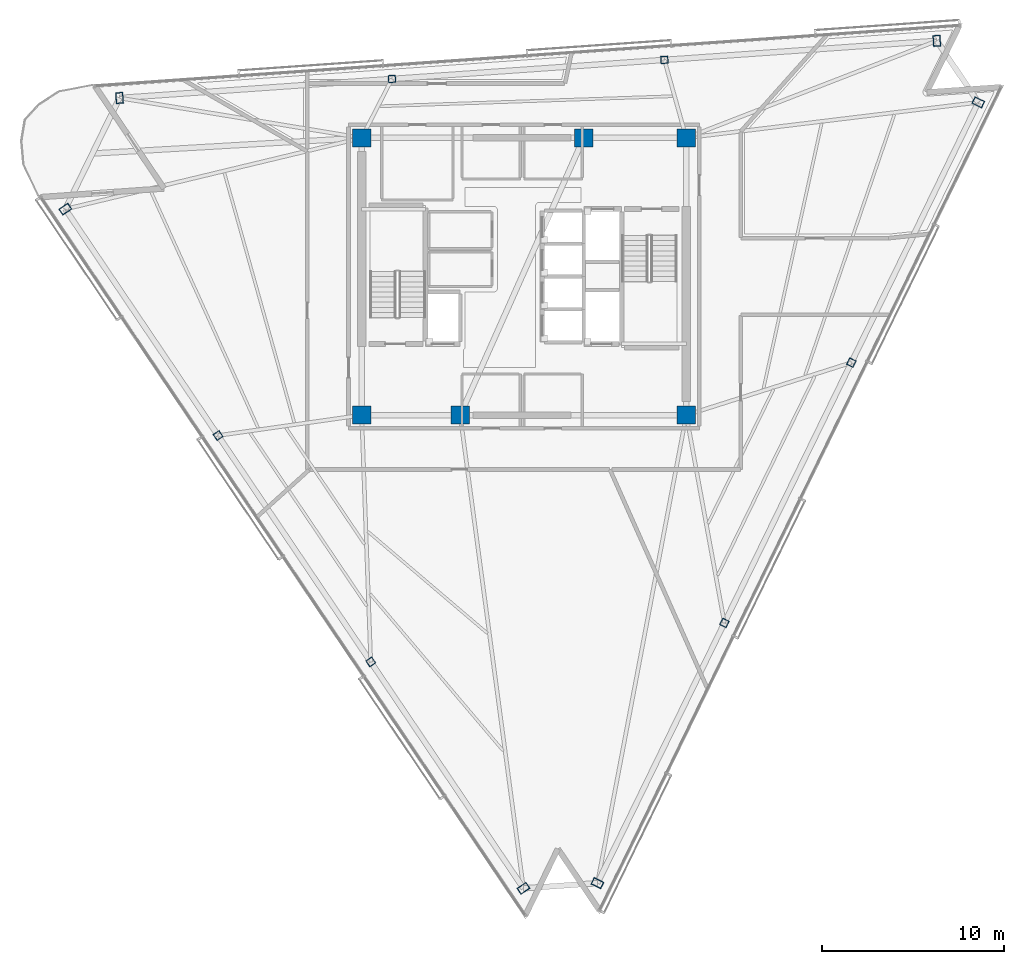
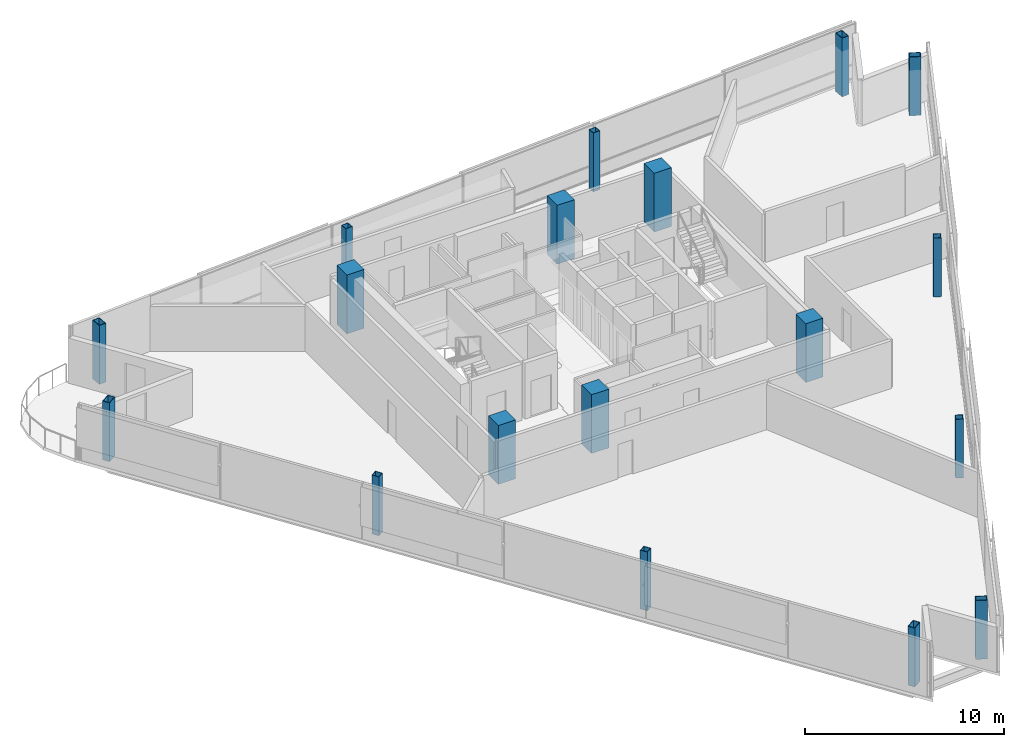
# One storey, part 1 of 16: 18 columns.
"""IFC4 building model written with IfcOpenShell, lengths in metres."""

from ifc_helpers import new_model, si_unit, direction, frame, origin, origin_2d, place, context, subcontext, project, spatial, rectangle, hollow_rectangle, extrude, material, material_profile, profile_set, type_object, element, save


model = new_model("IFC4")

# Units and contexts
model_context = context("Model", 3, precision=1e-05, world=origin(), true_north=direction((0.0, 1.0)))
body_context = subcontext(model_context, "Body", "Model", "MODEL_VIEW")
ifc_project = project(units=[si_unit("LENGTHUNIT", "METRE"), si_unit("AREAUNIT", "SQUARE_METRE"), si_unit("VOLUMEUNIT", "CUBIC_METRE"), si_unit("PLANEANGLEUNIT", "RADIAN"), si_unit("MASSUNIT", "GRAM", prefix="KILO")], contexts=[model_context])

# Site, building, storey
site_placement = place(None, origin())
site = spatial("IfcSite", under=ifc_project, at=site_placement, CompositionType="ELEMENT")
building_placement = place(site_placement, origin())
building = spatial("IfcBuilding", under=site, at=building_placement, Name="Tharavind Bronze Gate", CompositionType="ELEMENT")
storey_placement = place(building_placement, frame((0.0, 0.0, 271.39990234375)))
storey = spatial("IfcBuildingStorey", under=building, at=storey_placement, Name="L70", CompositionType="ELEMENT", Elevation=271.39990234375)

# Columns
ifc_material_1 = material(Name="Steel S460", Category="steel")
ifc_material_profile_1 = material_profile(ifc_material_1, hollow_rectangle(XDim=0.39990234375, YDim=0.60009765625, WallThickness=0.030029296875, at=origin_2d()), Name="RHS600X400X30")
ifc_profile_set_1 = profile_set([ifc_material_profile_1], Name="Steel S460")
column_type_1 = type_object("IfcColumnType", Name="CORNER NOTCH COLUMN RHS600X400", PredefinedType="COLUMN", material=ifc_profile_set_1)
for number, where, z_axis, x_axis, name in (
    (1, (-25.14990234375, 3.694580078125, 0.0), (0.0, 0.0, 1.0), (-0.559192903471, 0.829037572555, 0.0), "L70 perimeter column S1C1"),
    (2, (-0.02880859375, -33.549072265625, 0.0), (0.0, 0.0, 1.0), (-0.559192903471, 0.829037572555, 0.0), "L70 perimeter column S1C4"),
    (3, (4.029296875, -33.26513671875, 0.0), (0.0, 0.0, 1.0), (0.43837271548, 0.898793281196, 0.0), "L70 perimeter column S2C1"),
    (4, (24.91162109375, 9.5498046875, 0.0), (0.0, 0.0, 1.0), (0.43837271548, 0.898793281196, 0.0), "L70 perimeter column S2C4"),
    (5, (22.636962890625, 12.92236328125, 0.0), (0.0, 0.0, 1.0), (0.99756392851, 0.069758214822, 0.0), "L70 perimeter column S3C1"),
    (6, (-22.177490234375, 9.78857421875, 0.0), (0.0, 0.0, 1.0), (0.99756392851, 0.069758214822, 0.0), "L70 perimeter column S3C4"),
):
    element("IfcColumn", number, at=place(storey_placement, frame(where, z_axis=z_axis, x_axis=x_axis)), inside=storey, type_object=column_type_1, Name=name, PredefinedType="COLUMN", context=body_context, shape_type="SweptSolid", body=[
        extrude(hollow_rectangle(XDim=0.39990234375, YDim=0.60009765625, WallThickness=0.030029296875, at=origin_2d()), origin(), (0.0, 0.0, 1.0), 3.60009765625),
    ])
ifc_material_2 = material(Name="Concrete C50/60", Category="concrete")
ifc_material_profile_2 = material_profile(ifc_material_2, rectangle(XDim=1.0, YDim=1.0, at=origin_2d()), Name="RCCOL1000")
ifc_profile_set_2 = profile_set([ifc_material_profile_2], Name="Concrete C50/60")
column_type_2 = type_object("IfcColumnType", Name="MEGA CORE COLUMN 1000", PredefinedType="COLUMN", material=ifc_profile_set_2)
for number, where, z_axis, x_axis, name in (
    (7, (-8.89990234375, -7.60009765625, 0.0), (0.0, 0.0, 1.0), (1.0, 0.0, 0.0), "L70 core mega column MC1"),
    (8, (-3.5, -7.60009765625, 0.0), (0.0, 0.0, 1.0), (1.0, 0.0, 0.0), "L70 core mega column MC2"),
    (9, (8.89990234375, -7.60009765625, 0.0), (0.0, 0.0, 1.0), (1.0, 0.0, 0.0), "L70 core mega column MC3"),
    (10, (8.89990234375, 7.60009765625, 0.0), (0.0, 0.0, 1.0), (1.0, 0.0, 0.0), "L70 core mega column MC4"),
    (11, (3.280029296875, 7.60009765625, 0.0), (0.0, 0.0, 1.0), (1.0, 0.0, 0.0), "L70 core mega column MC5"),
    (12, (-8.89990234375, 7.60009765625, 0.0), (0.0, 0.0, 1.0), (1.0, 0.0, 0.0), "L70 core mega column MC6"),
):
    element("IfcColumn", number, at=place(storey_placement, frame(where, z_axis=z_axis, x_axis=x_axis)), inside=storey, type_object=column_type_2, Name=name, PredefinedType="COLUMN", context=body_context, shape_type="SweptSolid", body=[
        extrude(rectangle(XDim=1.0, YDim=1.0, at=origin_2d()), origin(), (0.0, 0.0, 1.0), 3.60009765625),
    ])
ifc_material_profile_3 = material_profile(ifc_material_1, hollow_rectangle(XDim=0.39990234375, YDim=0.39990234375, WallThickness=0.02490234375, at=origin_2d()), Name="SHS400X25")
ifc_profile_set_3 = profile_set([ifc_material_profile_3], Name="Steel S460")
column_type_3 = type_object("IfcColumnType", Name="PERIMETER BOX COLUMN SHS400", PredefinedType="COLUMN", material=ifc_profile_set_3)
for number, where, z_axis, x_axis, name in (
    (13, (-16.776123046875, -8.719970703125, 0.0), (0.0, 0.0, 1.0), (-0.559192903471, 0.829037572555, 0.0), "L70 perimeter column S1C2"),
    (14, (-8.40234375, -21.134521484375, 0.0), (0.0, 0.0, 1.0), (-0.559192903471, 0.829037572555, 0.0), "L70 perimeter column S1C3"),
    (15, (10.990234375, -18.99365234375, 0.0), (0.0, 0.0, 1.0), (0.43837271548, 0.898793281196, 0.0), "L70 perimeter column S2C2"),
    (16, (17.950927734375, -4.721923828125, 0.0), (0.0, 0.0, 1.0), (0.43837271548, 0.898793281196, 0.0), "L70 perimeter column S2C3"),
    (17, (7.69873046875, 11.877685546875, 0.0), (0.0, 0.0, 1.0), (0.99756392851, 0.069758214822, 0.0), "L70 perimeter column S3C2"),
    (18, (-7.239501953125, 10.8330078125, 0.0), (0.0, 0.0, 1.0), (0.99756392851, 0.069758214822, 0.0), "L70 perimeter column S3C3"),
):
    element("IfcColumn", number, at=place(storey_placement, frame(where, z_axis=z_axis, x_axis=x_axis)), inside=storey, type_object=column_type_3, Name=name, PredefinedType="COLUMN", context=body_context, shape_type="SweptSolid", body=[
        extrude(hollow_rectangle(XDim=0.39990234375, YDim=0.39990234375, WallThickness=0.02490234375, at=origin_2d()), origin(), (0.0, 0.0, 1.0), 3.60009765625),
    ])

save(model, "model.ifc")
